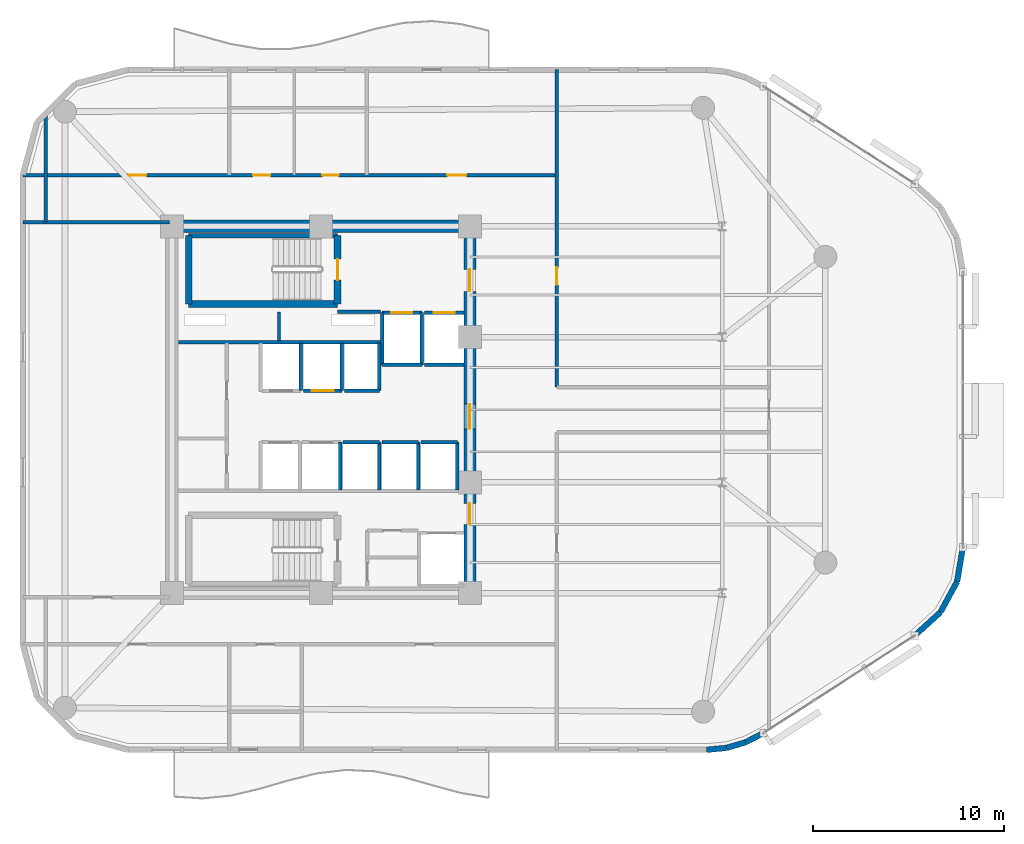
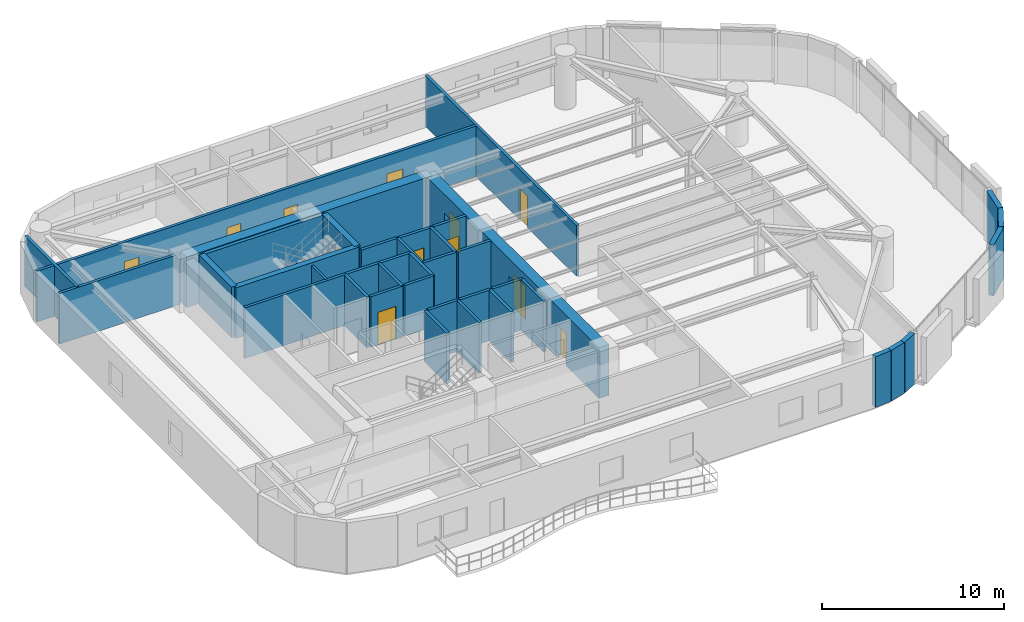
# One storey, part 11 of 14: 37 walls, 12 doors, 12 openings.
"""IFC4 building model written with IfcOpenShell, lengths in metres."""

from ifc_helpers import new_model, si_unit, direction, frame, frame_2d, origin, place, context, subcontext, project, spatial, rectangle, extrude, material, layer, layer_set, type_object, element, fill, save


model = new_model("IFC4")

# Units and contexts
model_context = context("Model", 3, precision=1e-05, world=origin(), true_north=direction((0.0, 1.0)))
body_context = subcontext(model_context, "Body", "Model", "MODEL_VIEW")
ifc_project = project(units=[si_unit("LENGTHUNIT", "METRE"), si_unit("AREAUNIT", "SQUARE_METRE"), si_unit("VOLUMEUNIT", "CUBIC_METRE"), si_unit("PLANEANGLEUNIT", "RADIAN"), si_unit("MASSUNIT", "GRAM", prefix="KILO")], contexts=[model_context])

# Site, building, storey
site_placement = place(None, origin())
site = spatial("IfcSite", under=ifc_project, at=site_placement, CompositionType="ELEMENT")
building_placement = place(site_placement, origin())
building = spatial("IfcBuilding", under=site, at=building_placement, Name="An Khanh Terracotta Commons", CompositionType="ELEMENT")
storey_placement = place(building_placement, frame((0.0, 0.0, 154.60009765625)))
storey = spatial("IfcBuildingStorey", under=building, at=storey_placement, Name="L40", CompositionType="ELEMENT", Elevation=154.60009765625)

# Wall
ifc_material_1 = material(Name="Concrete C60/75", Category="concrete")
ifc_layer_1 = layer(ifc_material_1, 0.64990234375, Name="Concrete C60/75")
ifc_layer_set_1 = layer_set([ifc_layer_1], Name="Concrete C60/75")
wall_type_1 = type_object("IfcWallType", Name="WALL-CORE-650", PredefinedType="SHEAR", material=ifc_layer_set_1)
wall_1_placement = place(storey_placement, frame((21.60009765625, 33.60009765625, 0.0), z_axis=(0.0, 0.0, 1.0), x_axis=(1.0, 0.0, 0.0)))
element("IfcWall", 1, at=wall_1_placement, inside=storey, type_object=wall_type_1, Name="L40 Core Wall CWALL-L40-N", PredefinedType="SHEAR", context=body_context, shape_type="SweptSolid", body=[
    extrude(rectangle(XDim=15.599853515625, YDim=0.64990234375, at=frame_2d((7.7998046875, 0.0))), origin(), (0.0, 0.0, 1.0), 3.39990234375),
])

# Wall, openings, doors
wall_2_placement = place(storey_placement, frame((37.199951171875, 14.39990234375, 0.0), z_axis=(0.0, 0.0, 1.0), x_axis=(0.0, 1.0, 0.0)))
wall_2 = element("IfcWall", 2, at=wall_2_placement, inside=storey, type_object=wall_type_1, Name="L40 Core Wall CWALL-L40-E", PredefinedType="SHEAR", context=body_context, shape_type="SweptSolid", body=[
    extrude(rectangle(XDim=19.2001953125, YDim=0.64990234375, at=frame_2d((9.60009765625, 0.0))), origin(), (0.0, 0.0, 1.0), 3.39990234375),
])
opening_1_placement = place(wall_2_placement, frame((15.800048828125, 0.0, 0.0)))
opening_1 = element("IfcOpeningElement", 3, at=opening_1_placement, cuts=wall_2, Name="Opening D-FFL", PredefinedType="OPENING", context=body_context, shape_type="SweptSolid", body=[
    extrude(rectangle(XDim=1.14990234375, YDim=2.14990234375, at=frame_2d((0.574951171875, 1.074951171875))), frame((0.0, 0.3349609375, 0.0), z_axis=(0.0, -1.0, 0.0), x_axis=(1.0, 0.0, 0.0)), (0.0, 0.0, 1.0), 0.669921875),
])
opening_2_placement = place(wall_2_placement, frame((3.60009765625, 0.0, 0.0)))
opening_2 = element("IfcOpeningElement", 4, at=opening_2_placement, cuts=wall_2, Name="Opening D-ST", PredefinedType="OPENING", context=body_context, shape_type="SweptSolid", body=[
    extrude(rectangle(XDim=1.10009765625, YDim=2.14990234375, at=frame_2d((0.550048828125, 1.074951171875))), frame((0.0, 0.3349609375, 0.0), z_axis=(0.0, -1.0, 0.0), x_axis=(1.0, 0.0, 0.0)), (0.0, 0.0, 1.0), 0.669921875),
])
opening_3_placement = place(wall_2_placement, frame((8.60009765625, 0.0, 0.0)))
opening_3 = element("IfcOpeningElement", 5, at=opening_3_placement, cuts=wall_2, Name="Opening D-COR", PredefinedType="OPENING", context=body_context, shape_type="SweptSolid", body=[
    extrude(rectangle(XDim=1.300048828125, YDim=2.199951171875, at=frame_2d((0.64990234375, 1.10009765625))), frame((0.0, 0.3349609375, 0.0), z_axis=(0.0, -1.0, 0.0), x_axis=(1.0, 0.0, 0.0)), (0.0, 0.0, 1.0), 0.669921875),
])
ifc_material_2 = material(Name="Fire-Rated Glazed Steel Double Door", Category="steel")
door_type_1 = type_object("IfcDoorType", Name="DOOR-CORR-1300", OperationType="NOTDEFINED", PredefinedType="DOOR", material=ifc_material_2)
door_1_placement = place(opening_3_placement, origin())
door_1 = element("IfcDoor", 6, at=door_1_placement, inside=storey, type_object=door_type_1, Name="L40 Passenger Lift Lobby Double Door", OperationType="DOUBLE_DOOR_SINGLE_SWING", OverallHeight=2.199951171875, OverallWidth=1.300048828125, PredefinedType="DOOR", context=body_context, shape_type="SweptSolid", body=[
    extrude(rectangle(XDim=1.300048828125, YDim=2.199951171875, at=frame_2d((0.64990234375, 1.10009765625))), frame((0.0, 0.02490234375, 0.0), z_axis=(0.0, -1.0, 0.0), x_axis=(1.0, 0.0, 0.0)), (0.0, 0.0, 1.0), 0.050048828125),
])
fill(opening_3, door_1)
ifc_material_3 = material(Name="Fire-Rated Steel Leaf and Vision Panel", Category="steel")
door_type_2 = type_object("IfcDoorType", Name="DOOR-FFL-1150", OperationType="NOTDEFINED", PredefinedType="DOOR", material=ifc_material_3)
door_2_placement = place(opening_1_placement, origin())
door_2 = element("IfcDoor", 7, at=door_2_placement, inside=storey, type_object=door_type_2, Name="L40 Firefighting Lift Lobby Fire Door", OperationType="SINGLE_SWING_RIGHT", OverallHeight=2.14990234375, OverallWidth=1.14990234375, PredefinedType="DOOR", context=body_context, shape_type="SweptSolid", body=[
    extrude(rectangle(XDim=1.14990234375, YDim=2.14990234375, at=frame_2d((0.574951171875, 1.074951171875))), frame((0.0, 0.02490234375, 0.0), z_axis=(0.0, -1.0, 0.0), x_axis=(1.0, 0.0, 0.0)), (0.0, 0.0, 1.0), 0.050048828125),
])
fill(opening_1, door_2)
ifc_material_4 = material(Name="Fire-Rated Steel Leaf and Frame", Category="steel")
door_type_3 = type_object("IfcDoorType", Name="DOOR-STAIR-1100", OperationType="NOTDEFINED", PredefinedType="DOOR", material=ifc_material_4)
door_3_placement = place(opening_2_placement, origin())
door_3 = element("IfcDoor", 8, at=door_3_placement, inside=storey, type_object=door_type_3, Name="L40 South Stair Lobby Fire Door", OperationType="SINGLE_SWING_LEFT", OverallHeight=2.14990234375, OverallWidth=1.10009765625, PredefinedType="DOOR", context=body_context, shape_type="SweptSolid", body=[
    extrude(rectangle(XDim=1.10009765625, YDim=2.14990234375, at=frame_2d((0.550048828125, 1.074951171875))), frame((0.0, 0.02490234375, 0.0), z_axis=(0.0, -1.0, 0.0), x_axis=(1.0, 0.0, 0.0)), (0.0, 0.0, 1.0), 0.050048828125),
])
fill(opening_2, door_3)

# Walls
ifc_material_5 = material(Name="Fire-Rated Gypsum Board on Steel Stud", Category="steel")
ifc_layer_2 = layer(ifc_material_5, 0.179931640625, Name="Fire-Rated Gypsum Board on Steel Stud")
ifc_layer_set_2 = layer_set([ifc_layer_2], Name="Fire-Rated Gypsum Board on Steel Stud")
wall_type_2 = type_object("IfcWallType", Name="WALL-CORR-180", PredefinedType="PARTITIONING", material=ifc_layer_set_2)
wall_3_placement = place(storey_placement, frame((30.27001953125, 29.1201171875, 0.0), z_axis=(0.0, 0.0, 1.0), x_axis=(1.0, 0.0, 0.0)))
element("IfcWall", 9, at=wall_3_placement, inside=storey, type_object=wall_type_2, Name="L40 Core Wall FFLW-L40-S", PredefinedType="PARTITIONING", context=body_context, shape_type="SweptSolid", body=[
    extrude(rectangle(XDim=2.239990234375, YDim=0.179931640625, at=frame_2d((1.1201171875, 0.0))), origin(), (0.0, 0.0, 1.0), 3.39990234375),
])
wall_4_placement = place(storey_placement, frame((21.949951171875, 27.5400390625, 0.0), z_axis=(0.0, 0.0, 1.0), x_axis=(1.0, 0.0, 0.0)))
element("IfcWall", 10, at=wall_4_placement, inside=storey, type_object=wall_type_2, Name="L40 Core Wall RSRW-L40-S", PredefinedType="PARTITIONING", context=body_context, shape_type="SweptSolid", body=[
    extrude(rectangle(XDim=10.56005859375, YDim=0.179931640625, at=frame_2d((5.280029296875, 0.0))), origin(), (0.0, 0.0, 1.0), 3.39990234375),
])

# Wall, opening, door
wall_5_placement = place(storey_placement, frame((32.60009765625, 29.080078125, 0.0), z_axis=(0.0, 0.0, 1.0), x_axis=(1.0, 0.0, 0.0)))
wall_5 = element("IfcWall", 11, at=wall_5_placement, inside=storey, type_object=wall_type_2, Name="L40 Core Wall LSH-L40-FFL-01-N", PredefinedType="PARTITIONING", context=body_context, shape_type="SweptSolid", body=[
    extrude(rectangle(XDim=2.079833984375, YDim=0.179931640625, at=frame_2d((1.0400390625, 0.0))), origin(), (0.0, 0.0, 1.0), 3.39990234375),
])
opening_4_placement = place(wall_5_placement, frame((0.489990234375, 0.0, 0.0)))
opening_4 = element("IfcOpeningElement", 12, at=opening_4_placement, cuts=wall_5, Name="Opening LD-FFL-01-L40", PredefinedType="OPENING", context=body_context, shape_type="SweptSolid", body=[
    extrude(rectangle(XDim=1.10009765625, YDim=2.199951171875, at=frame_2d((0.550048828125, 1.10009765625))), frame((0.0, 0.099853515625, 0.0), z_axis=(0.0, -1.0, 0.0), x_axis=(1.0, 0.0, 0.0)), (0.0, 0.0, 1.0), 0.199951171875),
])
ifc_material_6 = material(Name="Brushed Stainless Steel Fire Landing Door", Category="steel")
door_type_4 = type_object("IfcDoorType", Name="DOOR-LD-FFL-1100", OperationType="NOTDEFINED", PredefinedType="DOOR", material=ifc_material_6)
door_4_placement = place(opening_4_placement, origin())
door_4 = element("IfcDoor", 13, at=door_4_placement, inside=storey, type_object=door_type_4, Name="L40 Lift FFL-01 Sliding Landing Door", OperationType="DOUBLE_DOOR_SLIDING", OverallHeight=2.199951171875, OverallWidth=1.10009765625, PredefinedType="DOOR", context=body_context, shape_type="SweptSolid", body=[
    extrude(rectangle(XDim=1.10009765625, YDim=2.199951171875, at=frame_2d((0.550048828125, 1.10009765625))), frame((0.0, 0.02490234375, 0.0), z_axis=(0.0, -1.0, 0.0), x_axis=(1.0, 0.0, 0.0)), (0.0, 0.0, 1.0), 0.050048828125),
])
fill(opening_4, door_4)

# Walls
wall_6_placement = place(storey_placement, frame((34.679931640625, 26.35009765625, 0.0), z_axis=(0.0, 0.0, 1.0), x_axis=(-1.0, 0.0, 0.0)))
element("IfcWall", 14, at=wall_6_placement, inside=storey, type_object=wall_type_2, Name="L40 Core Wall LSH-L40-FFL-01-S", PredefinedType="PARTITIONING", context=body_context, shape_type="SweptSolid", body=[
    extrude(rectangle(XDim=2.079833984375, YDim=0.179931640625, at=frame_2d((1.0400390625, 0.0))), origin(), (0.0, 0.0, 1.0), 3.39990234375),
])
for number, where, z_axis, x_axis, name in (
    (15, (34.679931640625, 26.35009765625, 0.0), (0.0, 0.0, 1.0), (0.0, 1.0, 0.0), "L40 Core Wall LSH-L40-FFL-01-E"),
    (16, (32.60009765625, 29.080078125, 0.0), (0.0, 0.0, 1.0), (0.0, -1.0, 0.0), "L40 Core Wall LSH-L40-FFL-01-W"),
):
    element("IfcWall", number, at=place(storey_placement, frame(where, z_axis=z_axis, x_axis=x_axis)), inside=storey, type_object=wall_type_2, Name=name, PredefinedType="PARTITIONING", context=body_context, shape_type="SweptSolid", body=[
        extrude(rectangle(XDim=2.72998046875, YDim=0.179931640625, at=frame_2d((1.364990234375, 0.0))), origin(), (0.0, 0.0, 1.0), 3.39990234375),
    ])

# Wall, opening, door
wall_7_placement = place(storey_placement, frame((34.820068359375, 29.080078125, 0.0), z_axis=(0.0, 0.0, 1.0), x_axis=(1.0, 0.0, 0.0)))
wall_7 = element("IfcWall", 17, at=wall_7_placement, inside=storey, type_object=wall_type_2, Name="L40 Core Wall LSH-L40-FFL-02-N", PredefinedType="PARTITIONING", context=body_context, shape_type="SweptSolid", body=[
    extrude(rectangle(XDim=2.079833984375, YDim=0.179931640625, at=frame_2d((1.0400390625, 0.0))), origin(), (0.0, 0.0, 1.0), 3.39990234375),
])
opening_5_placement = place(wall_7_placement, frame((0.489990234375, 0.0, 0.0)))
opening_5 = element("IfcOpeningElement", 18, at=opening_5_placement, cuts=wall_7, Name="Opening LD-FFL-02-L40", PredefinedType="OPENING", context=body_context, shape_type="SweptSolid", body=[
    extrude(rectangle(XDim=1.10009765625, YDim=2.199951171875, at=frame_2d((0.550048828125, 1.10009765625))), frame((0.0, 0.099853515625, 0.0), z_axis=(0.0, -1.0, 0.0), x_axis=(1.0, 0.0, 0.0)), (0.0, 0.0, 1.0), 0.199951171875),
])
door_5_placement = place(opening_5_placement, origin())
door_5 = element("IfcDoor", 19, at=door_5_placement, inside=storey, type_object=door_type_4, Name="L40 Lift FFL-02 Sliding Landing Door", OperationType="DOUBLE_DOOR_SLIDING", OverallHeight=2.199951171875, OverallWidth=1.10009765625, PredefinedType="DOOR", context=body_context, shape_type="SweptSolid", body=[
    extrude(rectangle(XDim=1.10009765625, YDim=2.199951171875, at=frame_2d((0.550048828125, 1.10009765625))), frame((0.0, 0.02490234375, 0.0), z_axis=(0.0, -1.0, 0.0), x_axis=(1.0, 0.0, 0.0)), (0.0, 0.0, 1.0), 0.050048828125),
])
fill(opening_5, door_5)

# Walls
wall_8_placement = place(storey_placement, frame((36.89990234375, 26.35009765625, 0.0), z_axis=(0.0, 0.0, 1.0), x_axis=(-1.0, 0.0, 0.0)))
element("IfcWall", 20, at=wall_8_placement, inside=storey, type_object=wall_type_2, Name="L40 Core Wall LSH-L40-FFL-02-S", PredefinedType="PARTITIONING", context=body_context, shape_type="SweptSolid", body=[
    extrude(rectangle(XDim=2.079833984375, YDim=0.179931640625, at=frame_2d((1.0400390625, 0.0))), origin(), (0.0, 0.0, 1.0), 3.39990234375),
])
wall_9_placement = place(storey_placement, frame((28.340087890625, 25.0, 0.0), z_axis=(0.0, 0.0, 1.0), x_axis=(0.0, 1.0, 0.0)))
element("IfcWall", 21, at=wall_9_placement, inside=storey, type_object=wall_type_2, Name="L40 Core Wall LSH-L40-PL-M1-E", PredefinedType="PARTITIONING", context=body_context, shape_type="SweptSolid", body=[
    extrude(rectangle(XDim=2.5, YDim=0.179931640625, at=frame_2d((1.25, 0.0))), origin(), (0.0, 0.0, 1.0), 3.39990234375),
])

# Wall, opening, door
wall_10_placement = place(storey_placement, frame((30.5, 25.0, 0.0), z_axis=(0.0, 0.0, 1.0), x_axis=(-1.0, 0.0, 0.0)))
wall_10 = element("IfcWall", 22, at=wall_10_placement, inside=storey, type_object=wall_type_2, Name="L40 Core Wall LSH-L40-PL-M2-S", PredefinedType="PARTITIONING", context=body_context, shape_type="SweptSolid", body=[
    extrude(rectangle(XDim=2.02001953125, YDim=0.179931640625, at=frame_2d((1.010009765625, 0.0))), origin(), (0.0, 0.0, 1.0), 3.39990234375),
])
opening_6_placement = place(wall_10_placement, frame((0.43505859375, 0.0, 0.0)))
opening_6 = element("IfcOpeningElement", 23, at=opening_6_placement, cuts=wall_10, Name="Opening LD-PL-M2-L40", PredefinedType="OPENING", context=body_context, shape_type="SweptSolid", body=[
    extrude(rectangle(XDim=1.14990234375, YDim=2.199951171875, at=frame_2d((0.574951171875, 1.10009765625))), frame((0.0, 0.099853515625, 0.0), z_axis=(0.0, -1.0, 0.0), x_axis=(1.0, 0.0, 0.0)), (0.0, 0.0, 1.0), 0.199951171875),
])
ifc_material_7 = material(Name="Brushed Stainless Steel Passenger Landing Door", Category="steel")
door_type_5 = type_object("IfcDoorType", Name="DOOR-LD-PAX-1150", OperationType="NOTDEFINED", PredefinedType="DOOR", material=ifc_material_7)
door_6_placement = place(opening_6_placement, origin())
door_6 = element("IfcDoor", 24, at=door_6_placement, inside=storey, type_object=door_type_5, Name="L40 Lift PL-M2 Sliding Landing Door", OperationType="DOUBLE_DOOR_SLIDING", OverallHeight=2.199951171875, OverallWidth=1.14990234375, PredefinedType="DOOR", context=body_context, shape_type="SweptSolid", body=[
    extrude(rectangle(XDim=1.14990234375, YDim=2.199951171875, at=frame_2d((0.574951171875, 1.10009765625))), frame((0.0, 0.02490234375, 0.0), z_axis=(0.0, -1.0, 0.0), x_axis=(1.0, 0.0, 0.0)), (0.0, 0.0, 1.0), 0.050048828125),
])
fill(opening_6, door_6)

# Walls
for number, where, z_axis, x_axis, name in (
    (25, (30.5, 25.0, 0.0), (0.0, 0.0, 1.0), (0.0, 1.0, 0.0), "L40 Core Wall LSH-L40-PL-M2-E"),
    (26, (30.419921875, 19.800048828125, 0.0), (0.0, 0.0, 1.0), (0.0, 1.0, 0.0), "L40 Core Wall LSH-L40-PL-M4-E"),
):
    element("IfcWall", number, at=place(storey_placement, frame(where, z_axis=z_axis, x_axis=x_axis)), inside=storey, type_object=wall_type_2, Name=name, PredefinedType="PARTITIONING", context=body_context, shape_type="SweptSolid", body=[
        extrude(rectangle(XDim=2.5, YDim=0.179931640625, at=frame_2d((1.25, 0.0))), origin(), (0.0, 0.0, 1.0), 3.39990234375),
    ])
wall_11_placement = place(storey_placement, frame((32.4599609375, 25.0, 0.0), z_axis=(0.0, 0.0, 1.0), x_axis=(-1.0, 0.0, 0.0)))
element("IfcWall", 27, at=wall_11_placement, inside=storey, type_object=wall_type_2, Name="L40 Core Wall LSH-L40-PL-H1-S", PredefinedType="PARTITIONING", context=body_context, shape_type="SweptSolid", body=[
    extrude(rectangle(XDim=1.820068359375, YDim=0.179931640625, at=frame_2d((0.91015625, 0.0))), origin(), (0.0, 0.0, 1.0), 3.39990234375),
])
wall_12_placement = place(storey_placement, frame((32.4599609375, 25.0, 0.0), z_axis=(0.0, 0.0, 1.0), x_axis=(0.0, 1.0, 0.0)))
element("IfcWall", 28, at=wall_12_placement, inside=storey, type_object=wall_type_2, Name="L40 Core Wall LSH-L40-PL-H1-E", PredefinedType="PARTITIONING", context=body_context, shape_type="SweptSolid", body=[
    extrude(rectangle(XDim=2.5, YDim=0.179931640625, at=frame_2d((1.25, 0.0))), origin(), (0.0, 0.0, 1.0), 3.39990234375),
])
wall_13_placement = place(storey_placement, frame((30.56005859375, 22.300048828125, 0.0), z_axis=(0.0, 0.0, 1.0), x_axis=(1.0, 0.0, 0.0)))
element("IfcWall", 29, at=wall_13_placement, inside=storey, type_object=wall_type_2, Name="L40 Core Wall LSH-L40-PL-H2-N", PredefinedType="PARTITIONING", context=body_context, shape_type="SweptSolid", body=[
    extrude(rectangle(XDim=1.89990234375, YDim=0.179931640625, at=frame_2d((0.949951171875, 0.0))), origin(), (0.0, 0.0, 1.0), 3.39990234375),
])
wall_14_placement = place(storey_placement, frame((32.4599609375, 19.800048828125, 0.0), z_axis=(0.0, 0.0, 1.0), x_axis=(0.0, 1.0, 0.0)))
element("IfcWall", 30, at=wall_14_placement, inside=storey, type_object=wall_type_2, Name="L40 Core Wall LSH-L40-PL-H2-E", PredefinedType="PARTITIONING", context=body_context, shape_type="SweptSolid", body=[
    extrude(rectangle(XDim=2.5, YDim=0.179931640625, at=frame_2d((1.25, 0.0))), origin(), (0.0, 0.0, 1.0), 3.39990234375),
])
wall_15_placement = place(storey_placement, frame((32.60009765625, 22.300048828125, 0.0), z_axis=(0.0, 0.0, 1.0), x_axis=(1.0, 0.0, 0.0)))
element("IfcWall", 31, at=wall_15_placement, inside=storey, type_object=wall_type_2, Name="L40 Core Wall LSH-L40-PL-H3-N", PredefinedType="PARTITIONING", context=body_context, shape_type="SweptSolid", body=[
    extrude(rectangle(XDim=1.89990234375, YDim=0.179931640625, at=frame_2d((0.949951171875, 0.0))), origin(), (0.0, 0.0, 1.0), 3.39990234375),
])
wall_16_placement = place(storey_placement, frame((34.5, 19.800048828125, 0.0), z_axis=(0.0, 0.0, 1.0), x_axis=(0.0, 1.0, 0.0)))
element("IfcWall", 32, at=wall_16_placement, inside=storey, type_object=wall_type_2, Name="L40 Core Wall LSH-L40-PL-H3-E", PredefinedType="PARTITIONING", context=body_context, shape_type="SweptSolid", body=[
    extrude(rectangle(XDim=2.5, YDim=0.179931640625, at=frame_2d((1.25, 0.0))), origin(), (0.0, 0.0, 1.0), 3.39990234375),
])
wall_17_placement = place(storey_placement, frame((34.639892578125, 22.300048828125, 0.0), z_axis=(0.0, 0.0, 1.0), x_axis=(1.0, 0.0, 0.0)))
element("IfcWall", 33, at=wall_17_placement, inside=storey, type_object=wall_type_2, Name="L40 Core Wall LSH-L40-PL-H4-N", PredefinedType="PARTITIONING", context=body_context, shape_type="SweptSolid", body=[
    extrude(rectangle(XDim=1.900146484375, YDim=0.179931640625, at=frame_2d((0.9501953125, 0.0))), origin(), (0.0, 0.0, 1.0), 3.39990234375),
])
wall_18_placement = place(storey_placement, frame((36.5400390625, 19.800048828125, 0.0), z_axis=(0.0, 0.0, 1.0), x_axis=(0.0, 1.0, 0.0)))
element("IfcWall", 34, at=wall_18_placement, inside=storey, type_object=wall_type_2, Name="L40 Core Wall LSH-L40-PL-H4-E", PredefinedType="PARTITIONING", context=body_context, shape_type="SweptSolid", body=[
    extrude(rectangle(XDim=2.5, YDim=0.179931640625, at=frame_2d((1.25, 0.0))), origin(), (0.0, 0.0, 1.0), 3.39990234375),
])
wall_19_placement = place(storey_placement, frame((13.800048828125, 33.820068359375, 0.0), z_axis=(0.0, 0.0, 1.0), x_axis=(1.0, 0.0, 0.0)))
element("IfcWall", 35, at=wall_19_placement, inside=storey, type_object=wall_type_2, Name="L40 Interior Partition IW-L40-E006", PredefinedType="PARTITIONING", context=body_context, shape_type="SweptSolid", body=[
    extrude(rectangle(XDim=7.679931640625, YDim=0.179931640625, at=frame_2d((3.83984375, 0.0))), origin(), (0.0, 0.0, 1.0), 3.39990234375),
])

# Wall, openings, doors
wall_20_placement = place(storey_placement, frame((13.800048828125, 36.280029296875, 0.0), z_axis=(0.0, 0.0, 1.0), x_axis=(1.0, 0.0, 0.0)))
wall_20 = element("IfcWall", 36, at=wall_20_placement, inside=storey, type_object=wall_type_2, Name="L40 Interior Partition IW-L40-E007", PredefinedType="PARTITIONING", context=body_context, shape_type="SweptSolid", body=[
    extrude(rectangle(XDim=27.949951171875, YDim=0.179931640625, at=frame_2d((13.97509765625, 0.0))), origin(), (0.0, 0.0, 1.0), 3.39990234375),
])
opening_7_placement = place(wall_20_placement, frame((12.050048828125, 0.0, 0.0)))
opening_7 = element("IfcOpeningElement", 37, at=opening_7_placement, cuts=wall_20, Name="Opening D-WC", PredefinedType="OPENING", context=body_context, shape_type="SweptSolid", body=[
    extrude(rectangle(XDim=0.89990234375, YDim=2.10009765625, at=frame_2d((0.449951171875, 1.050048828125))), frame((0.0, 0.099853515625, 0.0), z_axis=(0.0, -1.0, 0.0), x_axis=(1.0, 0.0, 0.0)), (0.0, 0.0, 1.0), 0.199951171875),
])
opening_8_placement = place(wall_20_placement, frame((15.669921875, 0.0, 0.0)))
opening_8 = element("IfcOpeningElement", 38, at=opening_8_placement, cuts=wall_20, Name="Opening D-ENS", PredefinedType="OPENING", context=body_context, shape_type="SweptSolid", body=[
    extrude(rectangle(XDim=0.860107421875, YDim=2.10009765625, at=frame_2d((0.43017578125, 1.050048828125))), frame((0.0, 0.099853515625, 0.0), z_axis=(0.0, -1.0, 0.0), x_axis=(1.0, 0.0, 0.0)), (0.0, 0.0, 1.0), 0.199951171875),
])
opening_9_placement = place(wall_20_placement, frame((5.5400390625, 0.0, 0.0)))
opening_9 = element("IfcOpeningElement", 39, at=opening_9_placement, cuts=wall_20, Name="Opening D-RM", PredefinedType="OPENING", context=body_context, shape_type="SweptSolid", body=[
    extrude(rectangle(XDim=0.919921875, YDim=2.10009765625, at=frame_2d((0.4599609375, 1.050048828125))), frame((0.0, 0.099853515625, 0.0), z_axis=(0.0, -1.0, 0.0), x_axis=(1.0, 0.0, 0.0)), (0.0, 0.0, 1.0), 0.199951171875),
])
opening_10_placement = place(wall_20_placement, frame((22.215087890625, 0.0, 0.0)))
opening_10 = element("IfcOpeningElement", 40, at=opening_10_placement, cuts=wall_20, Name="Opening D-UN", PredefinedType="OPENING", context=body_context, shape_type="SweptSolid", body=[
    extrude(rectangle(XDim=1.0, YDim=2.14990234375, at=frame_2d((0.5, 1.074951171875))), frame((0.0, 0.099853515625, 0.0), z_axis=(0.0, -1.0, 0.0), x_axis=(1.0, 0.0, 0.0)), (0.0, 0.0, 1.0), 0.199951171875),
])
ifc_material_8 = material(Name="Moisture-Resistant Hardwood Timber Leaf", Category="wood")
door_type_6 = type_object("IfcDoorType", Name="DOOR-BATH-860", OperationType="NOTDEFINED", PredefinedType="DOOR", material=ifc_material_8)
door_7_placement = place(opening_8_placement, origin())
door_7 = element("IfcDoor", 41, at=door_7_placement, inside=storey, type_object=door_type_6, Name="L40 SHW Resident Shared Shower and Washroom Door", OperationType="SINGLE_SWING_LEFT", OverallHeight=2.10009765625, OverallWidth=0.860107421875, PredefinedType="DOOR", context=body_context, shape_type="SweptSolid", body=[
    extrude(rectangle(XDim=0.860107421875, YDim=2.10009765625, at=frame_2d((0.43017578125, 1.050048828125))), frame((0.0, 0.02490234375, 0.0), z_axis=(0.0, -1.0, 0.0), x_axis=(1.0, 0.0, 0.0)), (0.0, 0.0, 1.0), 0.050048828125),
])
fill(opening_8, door_7)
ifc_material_9 = material(Name="Engineered Hardwood Timber Leaf", Category="wood")
door_type_7 = type_object("IfcDoorType", Name="DOOR-INT-920", OperationType="NOTDEFINED", PredefinedType="DOOR", material=ifc_material_9)
door_8_placement = place(opening_9_placement, origin())
door_8 = element("IfcDoor", 42, at=door_8_placement, inside=storey, type_object=door_type_7, Name="L40 NW1 Student Reading Library Door", OperationType="SINGLE_SWING_RIGHT", OverallHeight=2.10009765625, OverallWidth=0.919921875, PredefinedType="DOOR", context=body_context, shape_type="SweptSolid", body=[
    extrude(rectangle(XDim=0.919921875, YDim=2.10009765625, at=frame_2d((0.4599609375, 1.050048828125))), frame((0.0, 0.02490234375, 0.0), z_axis=(0.0, -1.0, 0.0), x_axis=(1.0, 0.0, 0.0)), (0.0, 0.0, 1.0), 0.050048828125),
])
fill(opening_9, door_8)
ifc_material_10 = material(Name="Solid-Core Hardwood Acoustic Fire Door", Category="wood")
door_type_8 = type_object("IfcDoorType", Name="DOOR-UNIT-1000", OperationType="NOTDEFINED", PredefinedType="DOOR", material=ifc_material_10)
door_9_placement = place(opening_10_placement, origin())
door_9 = element("IfcDoor", 43, at=door_9_placement, inside=storey, type_object=door_type_8, Name="L40 NWE Yoga Wellness Studio Door", OperationType="SINGLE_SWING_LEFT", OverallHeight=2.14990234375, OverallWidth=1.0, PredefinedType="DOOR", context=body_context, shape_type="SweptSolid", body=[
    extrude(rectangle(XDim=1.0, YDim=2.14990234375, at=frame_2d((0.5, 1.074951171875))), frame((0.0, 0.02490234375, 0.0), z_axis=(0.0, -1.0, 0.0), x_axis=(1.0, 0.0, 0.0)), (0.0, 0.0, 1.0), 0.050048828125),
])
fill(opening_10, door_9)
ifc_material_11 = material(Name="Laminate Moisture-Resistant Timber Leaf", Category="wood")
door_type_9 = type_object("IfcDoorType", Name="DOOR-WC-900", OperationType="NOTDEFINED", PredefinedType="DOOR", material=ifc_material_11)
door_10_placement = place(opening_7_placement, origin())
door_10 = element("IfcDoor", 44, at=door_10_placement, inside=storey, type_object=door_type_9, Name="L40 AWC Accessible WC Door", OperationType="SINGLE_SWING_RIGHT", OverallHeight=2.10009765625, OverallWidth=0.89990234375, PredefinedType="DOOR", context=body_context, shape_type="SweptSolid", body=[
    extrude(rectangle(XDim=0.89990234375, YDim=2.10009765625, at=frame_2d((0.449951171875, 1.050048828125))), frame((0.0, 0.02490234375, 0.0), z_axis=(0.0, -1.0, 0.0), x_axis=(1.0, 0.0, 0.0)), (0.0, 0.0, 1.0), 0.050048828125),
])
fill(opening_7, door_10)

# Wall
wall_21_placement = place(storey_placement, frame((15.0, 33.820068359375, 0.0), z_axis=(0.0, 0.0, 1.0), x_axis=(0.0, 1.0, 0.0)))
element("IfcWall", 45, at=wall_21_placement, inside=storey, type_object=wall_type_2, Name="L40 Interior Partition IW-L40-E010", PredefinedType="PARTITIONING", context=body_context, shape_type="SweptSolid", body=[
    extrude(rectangle(XDim=5.69287109375, YDim=0.179931640625, at=frame_2d((2.846435546875, 0.0))), origin(), (0.0, 0.0, 1.0), 3.39990234375),
])

# Wall, opening, door
wall_22_placement = place(storey_placement, frame((41.75, 25.179931640625, 0.0), z_axis=(0.0, 0.0, 1.0), x_axis=(0.0, 1.0, 0.0)))
wall_22 = element("IfcWall", 46, at=wall_22_placement, inside=storey, type_object=wall_type_2, Name="L40 Interior Partition IW-L40-E017", PredefinedType="PARTITIONING", context=body_context, shape_type="SweptSolid", body=[
    extrude(rectangle(XDim=16.6201171875, YDim=0.179931640625, at=frame_2d((8.31005859375, 0.0))), origin(), (0.0, 0.0, 1.0), 3.39990234375),
])
opening_11_placement = place(wall_22_placement, frame((5.35009765625, 0.0, 0.0)))
opening_11 = element("IfcOpeningElement", 47, at=opening_11_placement, cuts=wall_22, Name="Opening D-RM", PredefinedType="OPENING", context=body_context, shape_type="SweptSolid", body=[
    extrude(rectangle(XDim=0.919921875, YDim=2.10009765625, at=frame_2d((0.4599609375, 1.050048828125))), frame((0.0, 0.099853515625, 0.0), z_axis=(0.0, -1.0, 0.0), x_axis=(1.0, 0.0, 0.0)), (0.0, 0.0, 1.0), 0.199951171875),
])
door_11_placement = place(opening_11_placement, origin())
door_11 = element("IfcDoor", 48, at=door_11_placement, inside=storey, type_object=door_type_7, Name="L40 SPN1 Music Room Door", OperationType="SINGLE_SWING_LEFT", OverallHeight=2.10009765625, OverallWidth=0.919921875, PredefinedType="DOOR", context=body_context, shape_type="SweptSolid", body=[
    extrude(rectangle(XDim=0.919921875, YDim=2.10009765625, at=frame_2d((0.4599609375, 1.050048828125))), frame((0.0, 0.02490234375, 0.0), z_axis=(0.0, -1.0, 0.0), x_axis=(1.0, 0.0, 0.0)), (0.0, 0.0, 1.0), 0.050048828125),
])
fill(opening_11, door_11)

# Walls
ifc_material_12 = material(Name="Precast concrete C40/50", Category="concrete")
ifc_layer_3 = layer(ifc_material_12, 0.300048828125, Name="Precast concrete C40/50")
ifc_layer_set_3 = layer_set([ifc_layer_3], Name="Precast concrete C40/50")
wall_type_3 = type_object("IfcWallType", Name="WALL-EXT-300", PredefinedType="SOLIDWALL", material=ifc_layer_set_3)
wall_23_placement = place(storey_placement, frame((49.58203125, 6.199951171875, 0.0), z_axis=(0.0, 0.0, 1.0), x_axis=(0.995426089968, 0.095534807324, 0.0)))
element("IfcWall", 49, at=wall_23_placement, inside=storey, type_object=wall_type_3, Name="L40 Insulated Terracotta Exterior Wall 5", PredefinedType="SOLIDWALL", context=body_context, shape_type="SweptSolid", body=[
    extrude(rectangle(XDim=1.0478515625, YDim=0.300048828125, at=frame_2d((0.52392578125, 0.0))), origin(), (0.0, 0.0, 1.0), 3.39990234375),
])
wall_24_placement = place(storey_placement, frame((50.625, 6.300048828125, 0.0), z_axis=(0.0, 0.0, 1.0), x_axis=(0.959528674476, 0.281610942363, 0.0)))
element("IfcWall", 50, at=wall_24_placement, inside=storey, type_object=wall_type_3, Name="L40 Insulated Terracotta Exterior Wall 6", PredefinedType="SOLIDWALL", context=body_context, shape_type="SweptSolid", body=[
    extrude(rectangle(XDim=1.04736328125, YDim=0.300048828125, at=frame_2d((0.523681640625, 0.0))), origin(), (0.0, 0.0, 1.0), 3.39990234375),
])
wall_25_placement = place(storey_placement, frame((51.6298828125, 6.594970703125, 0.0), z_axis=(0.0, 0.0, 1.0), x_axis=(0.888283247196, 0.459296062198, 0.0)))
element("IfcWall", 51, at=wall_25_placement, inside=storey, type_object=wall_type_3, Name="L40 Insulated Terracotta Exterior Wall 7", PredefinedType="SOLIDWALL", context=body_context, shape_type="SweptSolid", body=[
    extrude(rectangle(XDim=1.047119140625, YDim=0.300048828125, at=frame_2d((0.5234375, 0.0))), origin(), (0.0, 0.0, 1.0), 3.39990234375),
])
wall_26_placement = place(storey_placement, frame((60.47802734375, 12.176025390625, 0.0), z_axis=(0.0, 0.0, 1.0), x_axis=(0.73947929393, 0.673179302897, 0.0)))
element("IfcWall", 52, at=wall_26_placement, inside=storey, type_object=wall_type_3, Name="L40 Insulated Terracotta Exterior Wall 9", PredefinedType="SOLIDWALL", context=body_context, shape_type="SweptSolid", body=[
    extrude(rectangle(XDim=1.82275390625, YDim=0.300048828125, at=frame_2d((0.911376953125, 0.0))), origin(), (0.0, 0.0, 1.0), 3.39990234375),
])
wall_27_placement = place(storey_placement, frame((61.825927734375, 13.403076171875, 0.0), z_axis=(0.0, 0.0, 1.0), x_axis=(0.478608030646, 0.878028674362, 0.0)))
element("IfcWall", 53, at=wall_27_placement, inside=storey, type_object=wall_type_3, Name="L40 Insulated Terracotta Exterior Wall 10", PredefinedType="SOLIDWALL", context=body_context, shape_type="SweptSolid", body=[
    extrude(rectangle(XDim=1.822021484375, YDim=0.300048828125, at=frame_2d((0.9111328125, 0.0))), origin(), (0.0, 0.0, 1.0), 3.39990234375),
])
wall_28_placement = place(storey_placement, frame((62.697998046875, 15.0029296875, 0.0), z_axis=(0.0, 0.0, 1.0), x_axis=(0.165724081207, 0.986172159873, 0.0)))
element("IfcWall", 54, at=wall_28_placement, inside=storey, type_object=wall_type_3, Name="L40 Insulated Terracotta Exterior Wall 11", PredefinedType="SOLIDWALL", context=body_context, shape_type="SweptSolid", body=[
    extrude(rectangle(XDim=1.822265625, YDim=0.300048828125, at=frame_2d((0.9111328125, 0.0))), origin(), (0.0, 0.0, 1.0), 3.39990234375),
])
ifc_material_13 = material(Name="Acoustic Gypsum Board Partition")
ifc_layer_4 = layer(ifc_material_13, 0.14990234375, Name="Acoustic Gypsum Board Partition")
ifc_layer_set_4 = layer_set([ifc_layer_4], Name="Acoustic Gypsum Board Partition")
wall_type_4 = type_object("IfcWallType", Name="WALL-PART-150", PredefinedType="PARTITIONING", material=ifc_layer_set_4)
wall_29_placement = place(storey_placement, frame((27.199951171875, 27.60009765625, 0.0), z_axis=(0.0, 0.0, 1.0), x_axis=(0.0, 1.0, 0.0)))
element("IfcWall", 55, at=wall_29_placement, inside=storey, type_object=wall_type_4, Name="L40 Core Wall RSRW-L40-D1", PredefinedType="PARTITIONING", context=body_context, shape_type="SweptSolid", body=[
    extrude(rectangle(XDim=1.52001953125, YDim=0.14990234375, at=frame_2d((0.760009765625, 0.0))), origin(), (0.0, 0.0, 1.0), 3.39990234375),
])
ifc_material_14 = material(Name="Acoustic Double-Stud Gypsum and Mineral Wool")
ifc_layer_5 = layer(ifc_material_14, 0.219970703125, Name="Acoustic Double-Stud Gypsum and Mineral Wool")
ifc_layer_set_5 = layer_set([ifc_layer_5], Name="Acoustic Double-Stud Gypsum and Mineral Wool")
wall_type_5 = type_object("IfcWallType", Name="WALL-PARTY-220", PredefinedType="PARTITIONING", material=ifc_layer_set_5)
wall_30_placement = place(storey_placement, frame((22.47998046875, 33.110107421875, 0.0), z_axis=(0.0, 0.0, 1.0), x_axis=(1.0, 0.0, 0.0)))
element("IfcWall", 56, at=wall_30_placement, inside=storey, type_object=wall_type_5, Name="L40 Core Wall STW-L40-N-N", PredefinedType="PARTITIONING", context=body_context, shape_type="SweptSolid", body=[
    extrude(rectangle(XDim=7.7900390625, YDim=0.219970703125, at=frame_2d((3.89501953125, 0.0))), origin(), (0.0, 0.0, 1.0), 3.39990234375),
])
ifc_material_15 = material(Name="Concrete C50/60", Category="concrete")
ifc_layer_6 = layer(ifc_material_15, 0.35009765625, Name="Concrete C50/60")
ifc_layer_set_6 = layer_set([ifc_layer_6], Name="Concrete C50/60")
wall_type_6 = type_object("IfcWallType", Name="WALL-SHAFT-350", PredefinedType="SOLIDWALL", material=ifc_layer_set_6)
wall_31_placement = place(storey_placement, frame((22.47998046875, 29.530029296875, 0.0), z_axis=(0.0, 0.0, 1.0), x_axis=(1.0, 0.0, 0.0)))
element("IfcWall", 57, at=wall_31_placement, inside=storey, type_object=wall_type_6, Name="L40 Core Wall STW-L40-N-S", PredefinedType="SOLIDWALL", context=body_context, shape_type="SweptSolid", body=[
    extrude(rectangle(XDim=7.7900390625, YDim=0.35009765625, at=frame_2d((3.89501953125, 0.0))), origin(), (0.0, 0.0, 1.0), 3.39990234375),
])
wall_32_placement = place(storey_placement, frame((22.47998046875, 29.530029296875, 0.0), z_axis=(0.0, 0.0, 1.0), x_axis=(0.0, 1.0, 0.0)))
element("IfcWall", 58, at=wall_32_placement, inside=storey, type_object=wall_type_6, Name="L40 Core Wall STW-L40-N-W", PredefinedType="SOLIDWALL", context=body_context, shape_type="SweptSolid", body=[
    extrude(rectangle(XDim=3.580078125, YDim=0.35009765625, at=frame_2d((1.7900390625, 0.0))), origin(), (0.0, 0.0, 1.0), 3.39990234375),
])

# Wall, opening, door
wall_33_placement = place(storey_placement, frame((30.27001953125, 29.530029296875, 0.0), z_axis=(0.0, 0.0, 1.0), x_axis=(0.0, 1.0, 0.0)))
wall_33 = element("IfcWall", 59, at=wall_33_placement, inside=storey, type_object=wall_type_6, Name="L40 Core Wall STW-L40-N-E", PredefinedType="SOLIDWALL", context=body_context, shape_type="SweptSolid", body=[
    extrude(rectangle(XDim=3.580078125, YDim=0.35009765625, at=frame_2d((1.7900390625, 0.0))), origin(), (0.0, 0.0, 1.0), 3.39990234375),
])
opening_12_placement = place(wall_33_placement, frame((1.25, 0.0, 0.0)))
opening_12 = element("IfcOpeningElement", 60, at=opening_12_placement, cuts=wall_33, Name="Opening D-ST", PredefinedType="OPENING", context=body_context, shape_type="SweptSolid", body=[
    extrude(rectangle(XDim=1.10009765625, YDim=2.14990234375, at=frame_2d((0.550048828125, 1.074951171875))), frame((0.0, 0.18505859375, 0.0), z_axis=(0.0, -1.0, 0.0), x_axis=(1.0, 0.0, 0.0)), (0.0, 0.0, 1.0), 0.3701171875),
])
door_12_placement = place(opening_12_placement, origin())
door_12 = element("IfcDoor", 61, at=door_12_placement, inside=storey, type_object=door_type_3, Name="L40 Stair ST-01 Fire Door", OperationType="SINGLE_SWING_RIGHT", OverallHeight=2.14990234375, OverallWidth=1.10009765625, PredefinedType="DOOR", context=body_context, shape_type="SweptSolid", body=[
    extrude(rectangle(XDim=1.10009765625, YDim=2.14990234375, at=frame_2d((0.550048828125, 1.074951171875))), frame((0.0, 0.02490234375, 0.0), z_axis=(0.0, -1.0, 0.0), x_axis=(1.0, 0.0, 0.0)), (0.0, 0.0, 1.0), 0.050048828125),
])
fill(opening_12, door_12)

save(model, "model.ifc")
